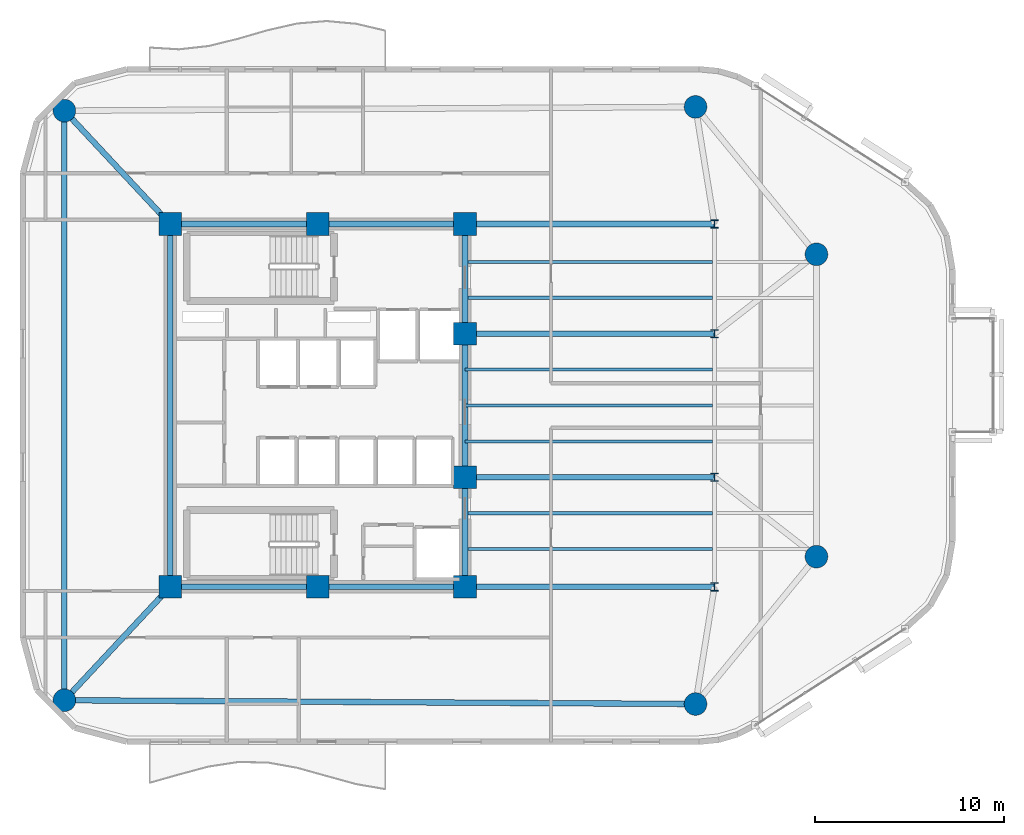
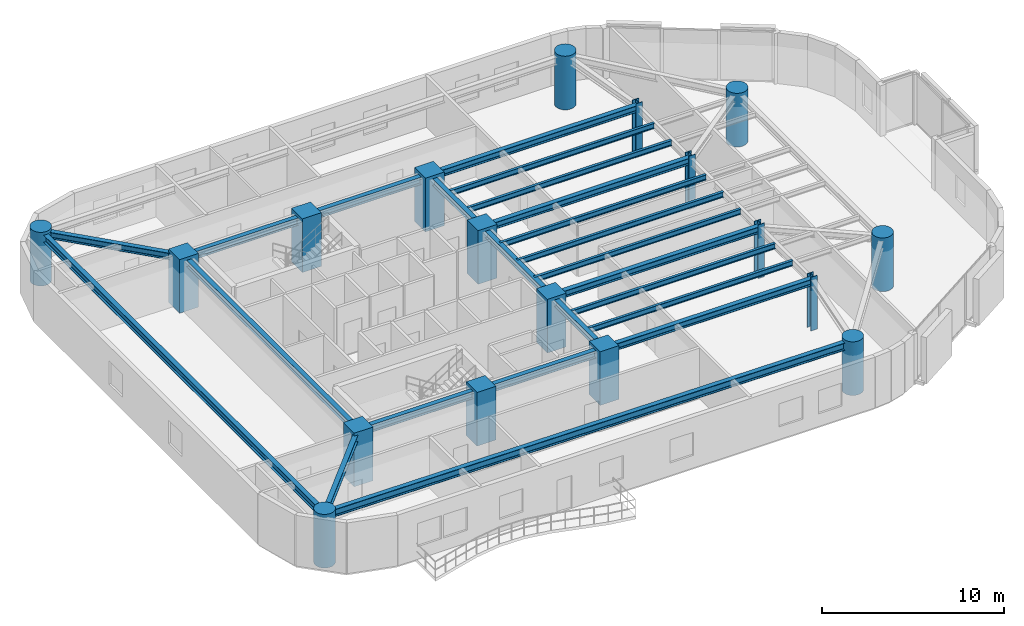
# One storey, part 1 of 12: 21 beams, 18 columns.
"""IFC4 building model written with IfcOpenShell, lengths in metres."""

from ifc_helpers import new_model, si_unit, direction, frame, origin, origin_2d, place, context, subcontext, project, spatial, rectangle, circle, i_section, extrude, material, material_profile, profile_set, type_object, element, save


model = new_model("IFC4")

# Units and contexts
model_context = context("Model", 3, precision=1e-05, world=origin(), true_north=direction((0.0, 1.0)))
body_context = subcontext(model_context, "Body", "Model", "MODEL_VIEW")
ifc_project = project(units=[si_unit("LENGTHUNIT", "METRE"), si_unit("AREAUNIT", "SQUARE_METRE"), si_unit("VOLUMEUNIT", "CUBIC_METRE"), si_unit("PLANEANGLEUNIT", "RADIAN"), si_unit("MASSUNIT", "GRAM", prefix="KILO")], contexts=[model_context])

# Site, building, storey
site_placement = place(None, origin())
site = spatial("IfcSite", under=ifc_project, at=site_placement, CompositionType="ELEMENT")
building_placement = place(site_placement, origin())
building = spatial("IfcBuilding", under=site, at=building_placement, Name="An Khanh Terracotta Commons", CompositionType="ELEMENT")
storey_placement = place(building_placement, frame((0.0, 0.0, 161.800048828125)))
storey = spatial("IfcBuildingStorey", under=building, at=storey_placement, Name="L42", CompositionType="ELEMENT", Elevation=161.800048828125)

# Columns
ifc_material_1 = material(Name="Concrete C60/75", Category="concrete")
ifc_material_profile_1 = material_profile(ifc_material_1, circle(Radius=0.60009765625, at=origin_2d()), Name="CFST1200")
ifc_profile_set_1 = profile_set([ifc_material_profile_1], Name="Concrete C60/75")
column_type_1 = type_object("IfcColumnType", Name="COL-CFST1200", PredefinedType="COLUMN", material=ifc_profile_set_1)
for number, where, z_axis, x_axis, name in (
    (1, (16.0, 8.39990234375, 0.0), (0.0, 0.0, 1.0), (1.0, 0.0, 0.0), "L42 Perimeter CFST Mega-Column MC-01"),
    (2, (49.39990234375, 8.199951171875, 0.0), (0.0, 0.0, 1.0), (1.0, 0.0, 0.0), "L42 Perimeter CFST Mega-Column MC-02"),
    (3, (55.800048828125, 16.0, 0.0), (0.0, 0.0, 1.0), (1.0, 0.0, 0.0), "L42 Perimeter CFST Mega-Column MC-03"),
    (4, (55.800048828125, 32.0, 0.0), (0.0, 0.0, 1.0), (1.0, 0.0, 0.0), "L42 Perimeter CFST Mega-Column MC-04"),
    (5, (49.39990234375, 39.800048828125, 0.0), (0.0, 0.0, 1.0), (1.0, 0.0, 0.0), "L42 Perimeter CFST Mega-Column MC-05"),
    (6, (16.0, 39.60009765625, 0.0), (0.0, 0.0, 1.0), (1.0, 0.0, 0.0), "L42 Perimeter CFST Mega-Column MC-06"),
):
    element("IfcColumn", number, at=place(storey_placement, frame(where, z_axis=z_axis, x_axis=x_axis)), inside=storey, type_object=column_type_1, Name=name, PredefinedType="COLUMN", context=body_context, shape_type="SweptSolid", body=[
        extrude(circle(Radius=0.60009765625, at=origin_2d()), origin(), (0.0, 0.0, 1.0), 3.599853515625),
    ])
ifc_material_2 = material(Name="Steel S460ML", Category="steel")
ifc_material_profile_2 = material_profile(ifc_material_2, i_section(OverallWidth=0.406005859375, OverallDepth=0.43994140625, WebThickness=0.02392578125, FlangeThickness=0.0390625, FilletRadius=0.014892578125, at=origin_2d()), Name="HD400x314")
ifc_profile_set_2 = profile_set([ifc_material_profile_2], Name="Steel S460ML")
column_type_2 = type_object("IfcColumnType", Name="COL-HD400x314", PredefinedType="COLUMN", material=ifc_profile_set_2)
for number, where, z_axis, x_axis, name in (
    (7, (50.39990234375, 14.39990234375, 0.0), (0.0, 0.0, 1.0), (1.0, 0.0, 0.0), "L42 Interior Frame Column TC-01"),
    (8, (50.39990234375, 20.199951171875, 0.0), (0.0, 0.0, 1.0), (1.0, 0.0, 0.0), "L42 Interior Frame Column TC-02"),
    (9, (50.39990234375, 27.800048828125, 0.0), (0.0, 0.0, 1.0), (1.0, 0.0, 0.0), "L42 Interior Frame Column TC-03"),
    (10, (50.39990234375, 33.60009765625, 0.0), (0.0, 0.0, 1.0), (1.0, 0.0, 0.0), "L42 Interior Frame Column TC-04"),
):
    element("IfcColumn", number, at=place(storey_placement, frame(where, z_axis=z_axis, x_axis=x_axis)), inside=storey, type_object=column_type_2, Name=name, PredefinedType="COLUMN", context=body_context, shape_type="SweptSolid", body=[
        extrude(i_section(OverallWidth=0.406005859375, OverallDepth=0.43994140625, WebThickness=0.02392578125, FlangeThickness=0.0390625, FilletRadius=0.014892578125, at=origin_2d()), origin(), (0.0, 0.0, 1.0), 3.599853515625),
    ])
ifc_material_profile_3 = material_profile(ifc_material_1, rectangle(XDim=1.199951171875, YDim=1.199951171875, at=origin_2d()), Name="RC1200x1200")
ifc_profile_set_3 = profile_set([ifc_material_profile_3], Name="Concrete C60/75")
column_type_3 = type_object("IfcColumnType", Name="COL-RC1200x1200", PredefinedType="COLUMN", material=ifc_profile_set_3)
for number, where, z_axis, x_axis, name in (
    (11, (21.60009765625, 14.39990234375, 0.0), (0.0, 0.0, 1.0), (1.0, 0.0, 0.0), "L42 Core Boundary Column CC-01"),
    (12, (29.39990234375, 14.39990234375, 0.0), (0.0, 0.0, 1.0), (1.0, 0.0, 0.0), "L42 Core Boundary Column CC-02"),
    (13, (37.199951171875, 14.39990234375, 0.0), (0.0, 0.0, 1.0), (1.0, 0.0, 0.0), "L42 Core Boundary Column CC-03"),
    (14, (37.199951171875, 20.199951171875, 0.0), (0.0, 0.0, 1.0), (1.0, 0.0, 0.0), "L42 Core Boundary Column CC-04"),
    (15, (37.199951171875, 27.800048828125, 0.0), (0.0, 0.0, 1.0), (1.0, 0.0, 0.0), "L42 Core Boundary Column CC-05"),
    (16, (37.199951171875, 33.60009765625, 0.0), (0.0, 0.0, 1.0), (1.0, 0.0, 0.0), "L42 Core Boundary Column CC-06"),
    (17, (29.39990234375, 33.60009765625, 0.0), (0.0, 0.0, 1.0), (1.0, 0.0, 0.0), "L42 Core Boundary Column CC-07"),
    (18, (21.60009765625, 33.60009765625, 0.0), (0.0, 0.0, 1.0), (1.0, 0.0, 0.0), "L42 Core Boundary Column CC-08"),
):
    element("IfcColumn", number, at=place(storey_placement, frame(where, z_axis=z_axis, x_axis=x_axis)), inside=storey, type_object=column_type_3, Name=name, PredefinedType="COLUMN", context=body_context, shape_type="SweptSolid", body=[
        extrude(rectangle(XDim=1.199951171875, YDim=1.199951171875, at=origin_2d()), origin(), (0.0, 0.0, 1.0), 3.599853515625),
    ])

# Beams
ifc_material_3 = material(Name="Steel S355J2", Category="steel")
ifc_material_profile_4 = material_profile(ifc_material_3, i_section(OverallWidth=0.300048828125, OverallDepth=0.449951171875, WebThickness=0.013916015625, FlangeThickness=0.02587890625, FilletRadius=0.027099609375, at=origin_2d()), Name="HEB450")
ifc_profile_set_4 = profile_set([ifc_material_profile_4], Name="Steel S355J2")
beam_type_1 = type_object("IfcBeamType", Name="BM-HEB450", PredefinedType="BEAM", material=ifc_profile_set_4)
beam_1_placement = place(storey_placement, frame((37.199951171875, 14.39990234375, 3.175048828125), z_axis=(0.0, 1.0, 0.0), x_axis=(-1.0, 0.0, 0.0)))
element("IfcBeam", 19, at=beam_1_placement, inside=storey, type_object=beam_type_1, Name="L42 Core East Coupling Girder 1", PredefinedType="BEAM", context=body_context, shape_type="SweptSolid", body=[
    extrude(i_section(OverallWidth=0.300048828125, OverallDepth=0.449951171875, WebThickness=0.013916015625, FlangeThickness=0.02587890625, FilletRadius=0.027099609375, at=origin_2d()), origin(), (0.0, 0.0, 1.0), 5.800048828125),
])
beam_2_placement = place(storey_placement, frame((37.199951171875, 20.199951171875, 3.175048828125), z_axis=(0.0, 1.0, 0.0), x_axis=(-1.0, 0.0, 0.0)))
element("IfcBeam", 20, at=beam_2_placement, inside=storey, type_object=beam_type_1, Name="L42 Core East Coupling Girder 2", PredefinedType="BEAM", context=body_context, shape_type="SweptSolid", body=[
    extrude(i_section(OverallWidth=0.300048828125, OverallDepth=0.449951171875, WebThickness=0.013916015625, FlangeThickness=0.02587890625, FilletRadius=0.027099609375, at=origin_2d()), origin(), (0.0, 0.0, 1.0), 7.60009765625),
])
beam_3_placement = place(storey_placement, frame((37.199951171875, 27.800048828125, 3.175048828125), z_axis=(0.0, 1.0, 0.0), x_axis=(-1.0, 0.0, 0.0)))
element("IfcBeam", 21, at=beam_3_placement, inside=storey, type_object=beam_type_1, Name="L42 Core East Coupling Girder 3", PredefinedType="BEAM", context=body_context, shape_type="SweptSolid", body=[
    extrude(i_section(OverallWidth=0.300048828125, OverallDepth=0.449951171875, WebThickness=0.013916015625, FlangeThickness=0.02587890625, FilletRadius=0.027099609375, at=origin_2d()), origin(), (0.0, 0.0, 1.0), 5.800048828125),
])
beam_4_placement = place(storey_placement, frame((21.60009765625, 14.39990234375, 3.175048828125), z_axis=(0.0, 1.0, 0.0), x_axis=(-1.0, 0.0, 0.0)))
element("IfcBeam", 22, at=beam_4_placement, inside=storey, type_object=beam_type_1, Name="L42 Core West Coupling Girder", PredefinedType="BEAM", context=body_context, shape_type="SweptSolid", body=[
    extrude(i_section(OverallWidth=0.300048828125, OverallDepth=0.449951171875, WebThickness=0.013916015625, FlangeThickness=0.02587890625, FilletRadius=0.027099609375, at=origin_2d()), origin(), (0.0, 0.0, 1.0), 19.2001953125),
])
for number, where, z_axis, x_axis, name in (
    (23, (37.199951171875, 14.39990234375, 3.175048828125), (1.0, 0.0, 0.0), (0.0, 1.0, 0.0), "L42 East Primary Floor Girder 1"),
    (24, (37.199951171875, 20.199951171875, 3.175048828125), (1.0, 0.0, 0.0), (0.0, 1.0, 0.0), "L42 East Primary Floor Girder 2"),
    (25, (37.199951171875, 27.800048828125, 3.175048828125), (1.0, 0.0, 0.0), (0.0, 1.0, 0.0), "L42 East Primary Floor Girder 3"),
    (26, (37.199951171875, 33.60009765625, 3.175048828125), (1.0, 0.0, 0.0), (0.0, 1.0, 0.0), "L42 East Primary Floor Girder 4"),
):
    element("IfcBeam", number, at=place(storey_placement, frame(where, z_axis=z_axis, x_axis=x_axis)), inside=storey, type_object=beam_type_1, Name=name, PredefinedType="BEAM", context=body_context, shape_type="SweptSolid", body=[
        extrude(i_section(OverallWidth=0.300048828125, OverallDepth=0.449951171875, WebThickness=0.013916015625, FlangeThickness=0.02587890625, FilletRadius=0.027099609375, at=origin_2d()), origin(), (0.0, 0.0, 1.0), 13.199951171875),
    ])
for number, where, z_axis, x_axis, name in (
    (27, (16.0, 8.39990234375, 3.175048828125), (0.682324609438, 0.731049333052, 0.0), (-0.731049333052, 0.682324609438, 0.0), "L42 Mega-Column Tie Girder 1"),
    (28, (16.0, 39.60009765625, 3.175048828125), (0.682324609438, -0.731049333052, 0.0), (0.731049333052, 0.682324609438, 0.0), "L42 Mega-Column Tie Girder 6"),
):
    element("IfcBeam", number, at=place(storey_placement, frame(where, z_axis=z_axis, x_axis=x_axis)), inside=storey, type_object=beam_type_1, Name=name, PredefinedType="BEAM", context=body_context, shape_type="SweptSolid", body=[
        extrude(i_section(OverallWidth=0.300048828125, OverallDepth=0.449951171875, WebThickness=0.013916015625, FlangeThickness=0.02587890625, FilletRadius=0.027099609375, at=origin_2d()), origin(), (0.0, 0.0, 1.0), 8.207275390625),
    ])
ifc_material_profile_5 = material_profile(ifc_material_3, i_section(OverallWidth=0.300048828125, OverallDepth=0.5, WebThickness=0.014404296875, FlangeThickness=0.028076171875, FilletRadius=0.027099609375, at=origin_2d()), Name="HEB500")
ifc_profile_set_5 = profile_set([ifc_material_profile_5], Name="Steel S355J2")
beam_type_2 = type_object("IfcBeamType", Name="BM-HEB500", PredefinedType="BEAM", material=ifc_profile_set_5)
for number, where, z_axis, x_axis, name in (
    (29, (21.60009765625, 14.39990234375, 3.14990234375), (1.0, 0.0, 0.0), (0.0, 1.0, 0.0), "L42 Core South Coupling Girder"),
    (30, (21.60009765625, 33.60009765625, 3.14990234375), (1.0, 0.0, 0.0), (0.0, 1.0, 0.0), "L42 Core North Coupling Girder"),
):
    element("IfcBeam", number, at=place(storey_placement, frame(where, z_axis=z_axis, x_axis=x_axis)), inside=storey, type_object=beam_type_2, Name=name, PredefinedType="BEAM", context=body_context, shape_type="SweptSolid", body=[
        extrude(i_section(OverallWidth=0.300048828125, OverallDepth=0.5, WebThickness=0.014404296875, FlangeThickness=0.028076171875, FilletRadius=0.027099609375, at=origin_2d()), origin(), (0.0, 0.0, 1.0), 15.599853515625),
    ])
beam_5_placement = place(storey_placement, frame((16.0, 8.39990234375, 3.14990234375), z_axis=(0.999982080914, -0.005986472262, 0.0), x_axis=(0.005986472262, 0.999982080914, 0.0)))
element("IfcBeam", 31, at=beam_5_placement, inside=storey, type_object=beam_type_2, Name="L42 Perimeter Ring Spandrel 1", PredefinedType="BEAM", context=body_context, shape_type="SweptSolid", body=[
    extrude(i_section(OverallWidth=0.300048828125, OverallDepth=0.5, WebThickness=0.014404296875, FlangeThickness=0.028076171875, FilletRadius=0.027099609375, at=origin_2d()), origin(), (0.0, 0.0, 1.0), 33.400390625),
])
beam_6_placement = place(storey_placement, frame((16.0, 39.60009765625, 3.14990234375), z_axis=(0.0, -1.0, 0.0), x_axis=(1.0, 0.0, 0.0)))
element("IfcBeam", 32, at=beam_6_placement, inside=storey, type_object=beam_type_2, Name="L42 Perimeter Ring Spandrel 6", PredefinedType="BEAM", context=body_context, shape_type="SweptSolid", body=[
    extrude(i_section(OverallWidth=0.300048828125, OverallDepth=0.5, WebThickness=0.014404296875, FlangeThickness=0.028076171875, FilletRadius=0.027099609375, at=origin_2d()), origin(), (0.0, 0.0, 1.0), 31.2001953125),
])
ifc_material_profile_6 = material_profile(ifc_material_3, i_section(OverallWidth=0.169921875, OverallDepth=0.360107421875, WebThickness=0.008056640625, FlangeThickness=0.0126953125, FilletRadius=0.01806640625, at=origin_2d()), Name="IPE360")
ifc_profile_set_6 = profile_set([ifc_material_profile_6], Name="Steel S355J2")
beam_type_3 = type_object("IfcBeamType", Name="BM-IPE360", PredefinedType="JOIST", material=ifc_profile_set_6)
for number, where, z_axis, x_axis, name in (
    (33, (37.199951171875, 16.39990234375, 3.219970703125), (1.0, 0.0, 0.0), (0.0, 1.0, 0.0), "L42 Inboard Composite Joist 1"),
    (34, (37.199951171875, 18.300048828125, 3.219970703125), (1.0, 0.0, 0.0), (0.0, 1.0, 0.0), "L42 Inboard Composite Joist 2"),
    (35, (37.199951171875, 22.10009765625, 3.219970703125), (1.0, 0.0, 0.0), (0.0, 1.0, 0.0), "L42 Inboard Composite Joist 3"),
    (36, (37.199951171875, 24.0, 3.219970703125), (1.0, 0.0, 0.0), (0.0, 1.0, 0.0), "L42 Inboard Composite Joist 4"),
    (37, (37.199951171875, 25.89990234375, 3.219970703125), (1.0, 0.0, 0.0), (0.0, 1.0, 0.0), "L42 Inboard Composite Joist 5"),
    (38, (37.199951171875, 29.699951171875, 3.219970703125), (1.0, 0.0, 0.0), (0.0, 1.0, 0.0), "L42 Inboard Composite Joist 6"),
    (39, (37.199951171875, 31.60009765625, 3.219970703125), (1.0, 0.0, 0.0), (0.0, 1.0, 0.0), "L42 Inboard Composite Joist 7"),
):
    element("IfcBeam", number, at=place(storey_placement, frame(where, z_axis=z_axis, x_axis=x_axis)), inside=storey, type_object=beam_type_3, Name=name, PredefinedType="JOIST", context=body_context, shape_type="SweptSolid", body=[
        extrude(i_section(OverallWidth=0.169921875, OverallDepth=0.360107421875, WebThickness=0.008056640625, FlangeThickness=0.0126953125, FilletRadius=0.01806640625, at=origin_2d()), origin(), (0.0, 0.0, 1.0), 13.10009765625),
    ])

save(model, "model.ifc")
